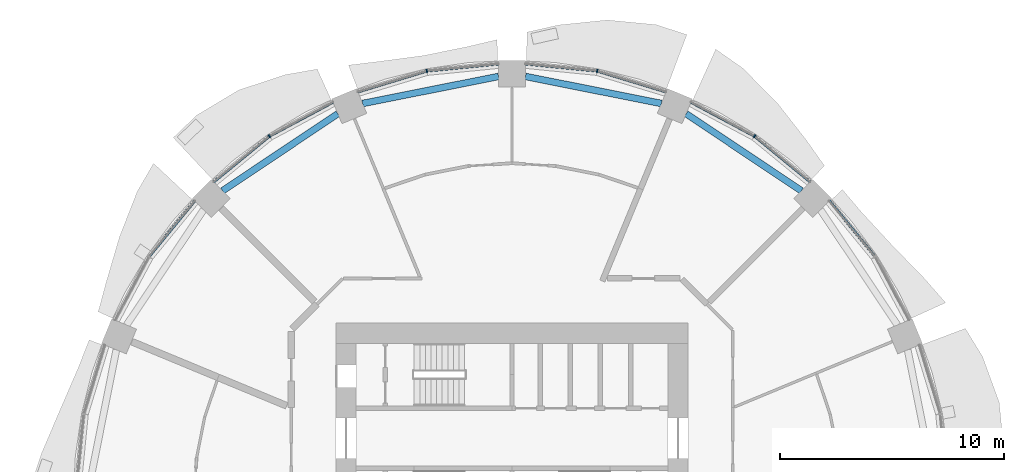
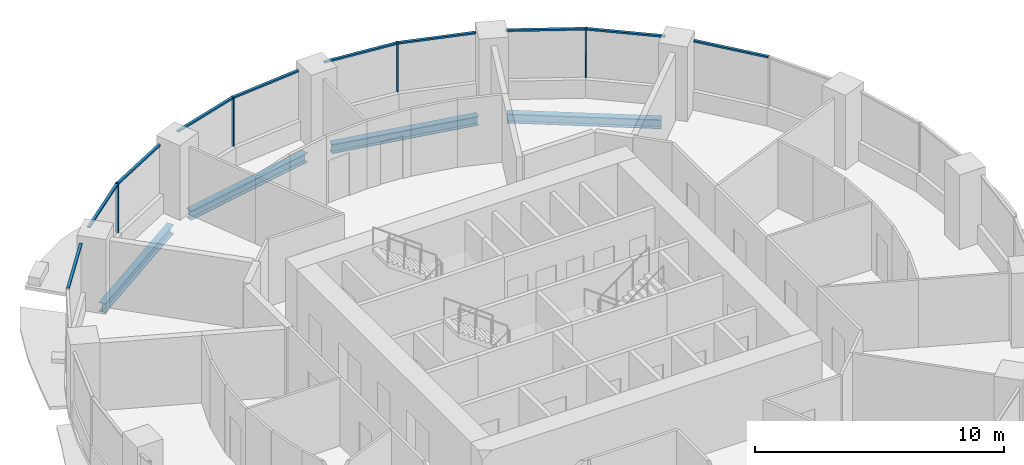
# One storey, part 6 of 15: 14 members, 4 beams, 6 elements without a shape of their own.
"""IFC4 building model written with IfcOpenShell, lengths in metres."""

from ifc_helpers import new_model, si_unit, direction, frame, origin, origin_2d, place, context, subcontext, project, spatial, rectangle, i_section, extrude, material, material_profile, profile_set, type_object, element, aggregate, save


model = new_model("IFC4")

# Units and contexts
model_context = context("Model", 3, precision=1e-05, world=origin(), true_north=direction((0.0, 1.0)))
body_context = subcontext(model_context, "Body", "Model", "MODEL_VIEW")
ifc_project = project(units=[si_unit("LENGTHUNIT", "METRE"), si_unit("AREAUNIT", "SQUARE_METRE"), si_unit("VOLUMEUNIT", "CUBIC_METRE"), si_unit("PLANEANGLEUNIT", "RADIAN"), si_unit("MASSUNIT", "GRAM", prefix="KILO")], contexts=[model_context])

# Site, building, storey
site_placement = place(None, origin())
site = spatial("IfcSite", under=ifc_project, at=site_placement, CompositionType="ELEMENT")
building_placement = place(site_placement, origin())
building = spatial("IfcBuilding", under=site, at=building_placement, Name="Polderwave Tower", CompositionType="ELEMENT")
storey_placement = place(building_placement, frame((0.0, 0.0, 48.10009765625)))
storey = spatial("IfcBuildingStorey", under=building, at=storey_placement, Name="L12", CompositionType="ELEMENT", Elevation=48.10009765625)

# Curtain wall, member
ifc_material_1 = material(Name="Aluminium 6063-T6 and glass", Category="aluminium")
curtain_wall_type = type_object("IfcCurtainWallType", Name="Growing floor ribbon glazing wall", PredefinedType="NOTDEFINED", material=ifc_material_1)
curtain_wall_1_placement = place(storey_placement, origin())
curtain_wall_1 = element("IfcCurtainWall", 1, at=curtain_wall_1_placement, inside=storey, type_object=curtain_wall_type, Name="CW2 L12 02", PredefinedType="NOTDEFINED")
ifc_material_2 = material(Name="Aluminium 6063-T6", Category="aluminium")
ifc_material_profile_1 = material_profile(ifc_material_2, rectangle(XDim=0.14990234375, YDim=0.06005859375, at=origin_2d()), Name="AL 60x150")
ifc_profile_set_1 = profile_set([ifc_material_profile_1], Name="Aluminium 6063-T6")
member_type_1 = type_object("IfcMemberType", Name="Growing floor ribbon glazing mullion 60x150", PredefinedType="MULLION", material=ifc_profile_set_1)
member_1_placement = place(storey_placement, frame((10.85009765625, 16.239013671875, 0.89990234375), z_axis=(0.0, 0.0, 1.0), x_axis=(-0.555576037759, -0.83146573367, 0.0)))
member_1 = element("IfcMember", 2, at=member_1_placement, type_object=member_type_1, Name="CW2 mullion 1", PredefinedType="MULLION", context=body_context, shape_type="SweptSolid", body=[
    extrude(rectangle(XDim=0.14990234375, YDim=0.06005859375, at=origin_2d()), origin(), (0.0, 0.0, 1.0), 2.39990234375),
])

curtain_wall_2_placement = place(storey_placement, origin())
curtain_wall_2 = element("IfcCurtainWall", 3, at=curtain_wall_2_placement, inside=storey, type_object=curtain_wall_type, Name="CW2 L12 03", PredefinedType="NOTDEFINED")
member_2_placement = place(storey_placement, frame((3.81005859375, 19.155029296875, 0.89990234375), z_axis=(0.0, 0.0, 1.0), x_axis=(-0.195148522643, -0.980773701784, 0.0)))
member_2 = element("IfcMember", 4, at=member_2_placement, type_object=member_type_1, Name="CW2 mullion 1", PredefinedType="MULLION", context=body_context, shape_type="SweptSolid", body=[
    extrude(rectangle(XDim=0.14990234375, YDim=0.06005859375, at=origin_2d()), origin(), (0.0, 0.0, 1.0), 2.39990234375),
])

curtain_wall_3_placement = place(storey_placement, origin())
curtain_wall_3 = element("IfcCurtainWall", 5, at=curtain_wall_3_placement, inside=storey, type_object=curtain_wall_type, Name="CW2 L12 04", PredefinedType="NOTDEFINED")
member_3_placement = place(storey_placement, frame((-3.81005859375, 19.155029296875, 0.89990234375), z_axis=(0.0, 0.0, 1.0), x_axis=(0.195148522643, -0.980773701784, 0.0)))
member_3 = element("IfcMember", 6, at=member_3_placement, type_object=member_type_1, Name="CW2 mullion 1", PredefinedType="MULLION", context=body_context, shape_type="SweptSolid", body=[
    extrude(rectangle(XDim=0.14990234375, YDim=0.06005859375, at=origin_2d()), origin(), (0.0, 0.0, 1.0), 2.39990234375),
])

curtain_wall_4_placement = place(storey_placement, origin())
curtain_wall_4 = element("IfcCurtainWall", 7, at=curtain_wall_4_placement, inside=storey, type_object=curtain_wall_type, Name="CW2 L12 05", PredefinedType="NOTDEFINED")
member_4_placement = place(storey_placement, frame((-10.85009765625, 16.239013671875, 0.89990234375), z_axis=(0.0, 0.0, 1.0), x_axis=(0.555576037759, -0.83146573367, 0.0)))
member_4 = element("IfcMember", 8, at=member_4_placement, type_object=member_type_1, Name="CW2 mullion 1", PredefinedType="MULLION", context=body_context, shape_type="SweptSolid", body=[
    extrude(rectangle(XDim=0.14990234375, YDim=0.06005859375, at=origin_2d()), origin(), (0.0, 0.0, 1.0), 2.39990234375),
])

curtain_wall_5_placement = place(storey_placement, origin())
curtain_wall_5 = element("IfcCurtainWall", 9, at=curtain_wall_5_placement, inside=storey, type_object=curtain_wall_type, Name="CW2 L12 01", PredefinedType="NOTDEFINED")
ifc_material_profile_2 = material_profile(ifc_material_2, rectangle(XDim=0.1201171875, YDim=0.080078125, at=origin_2d()), Name="AL 80x120")
ifc_profile_set_2 = profile_set([ifc_material_profile_2], Name="Aluminium 6063-T6")
member_type_2 = type_object("IfcMemberType", Name="Growing floor ribbon glazing transom 80x120", PredefinedType="USERDEFINED", material=ifc_profile_set_2)
member_5_placement = place(storey_placement, frame((16.219970703125, 10.873291015625, 3.260009765625), z_axis=(-0.63447226594, 0.772945627941, 0.0), x_axis=(-0.772945627941, -0.63447226594, 0.0)))
member_5 = element("IfcMember", 10, at=member_5_placement, type_object=member_type_2, Name="CW2 transom 2", ObjectType="TRANSOM", PredefinedType="USERDEFINED", context=body_context, shape_type="SweptSolid", body=[
    extrude(rectangle(XDim=0.1201171875, YDim=0.080078125, at=origin_2d()), origin(), (0.0, 0.0, 1.0), 3.196533203125),
])
aggregate(curtain_wall_5, [member_5])

# Member
member_6_placement = place(storey_placement, frame((13.343994140625, 14.19189453125, 3.260009765625), z_axis=(-0.772945627941, 0.63447226594, 0.0), x_axis=(-0.63447226594, -0.772945627941, 0.0)))
member_6 = element("IfcMember", 11, at=member_6_placement, type_object=member_type_2, Name="CW2 transom 1", ObjectType="TRANSOM", PredefinedType="USERDEFINED", context=body_context, shape_type="SweptSolid", body=[
    extrude(rectangle(XDim=0.1201171875, YDim=0.080078125, at=origin_2d()), origin(), (0.0, 0.0, 1.0), 3.196533203125),
])

member_7_placement = place(storey_placement, frame((10.823486328125, 16.253173828125, 3.260009765625), z_axis=(-0.881929477556, 0.471381370673, 0.0), x_axis=(-0.471381370673, -0.881929477556, 0.0)))
member_7 = element("IfcMember", 12, at=member_7_placement, type_object=member_type_2, Name="CW2 transom 2", ObjectType="TRANSOM", PredefinedType="USERDEFINED", context=body_context, shape_type="SweptSolid", body=[
    extrude(rectangle(XDim=0.1201171875, YDim=0.080078125, at=origin_2d()), origin(), (0.0, 0.0, 1.0), 3.194580078125),
])

aggregate(curtain_wall_1, [member_1, member_6, member_7])

member_8_placement = place(storey_placement, frame((6.89697265625, 18.218017578125, 3.260009765625), z_axis=(-0.95689839473, 0.290422902272, 0.0), x_axis=(-0.290422902272, -0.95689839473, 0.0)))
member_8 = element("IfcMember", 13, at=member_8_placement, type_object=member_type_2, Name="CW2 transom 1", ObjectType="TRANSOM", PredefinedType="USERDEFINED", context=body_context, shape_type="SweptSolid", body=[
    extrude(rectangle(XDim=0.1201171875, YDim=0.080078125, at=origin_2d()), origin(), (0.0, 0.0, 1.0), 3.196044921875),
])

member_9_placement = place(storey_placement, frame((3.780029296875, 19.157958984375, 3.260009765625), z_axis=(-0.99519106363, 0.097952778777, 0.0), x_axis=(-0.097952778777, -0.99519106363, 0.0)))
member_9 = element("IfcMember", 14, at=member_9_placement, type_object=member_type_2, Name="CW2 transom 2", ObjectType="TRANSOM", PredefinedType="USERDEFINED", context=body_context, shape_type="SweptSolid", body=[
    extrude(rectangle(XDim=0.1201171875, YDim=0.080078125, at=origin_2d()), origin(), (0.0, 0.0, 1.0), 3.1953125),
])

aggregate(curtain_wall_2, [member_2, member_8, member_9])

member_10_placement = place(storey_placement, frame((-0.60009765625, 19.470947265625, 3.260009765625), z_axis=(-0.99519106363, -0.097952778777, 0.0), x_axis=(0.097952778777, -0.99519106363, 0.0)))
member_10 = element("IfcMember", 15, at=member_10_placement, type_object=member_type_2, Name="CW2 transom 1", ObjectType="TRANSOM", PredefinedType="USERDEFINED", context=body_context, shape_type="SweptSolid", body=[
    extrude(rectangle(XDim=0.1201171875, YDim=0.080078125, at=origin_2d()), origin(), (0.0, 0.0, 1.0), 3.1953125),
])

member_11_placement = place(storey_placement, frame((-3.838623046875, 19.146240234375, 3.260009765625), z_axis=(-0.95689839473, -0.290422902272, 0.0), x_axis=(0.290422902272, -0.95689839473, 0.0)))
member_11 = element("IfcMember", 16, at=member_11_placement, type_object=member_type_2, Name="CW2 transom 2", ObjectType="TRANSOM", PredefinedType="USERDEFINED", context=body_context, shape_type="SweptSolid", body=[
    extrude(rectangle(XDim=0.1201171875, YDim=0.080078125, at=origin_2d()), origin(), (0.0, 0.0, 1.0), 3.196044921875),
])

aggregate(curtain_wall_3, [member_3, member_10, member_11])

member_12_placement = place(storey_placement, frame((-8.006103515625, 17.759033203125, 3.260009765625), z_axis=(-0.881929477556, -0.471381370673, 0.0), x_axis=(0.471381370673, -0.881929477556, 0.0)))
member_12 = element("IfcMember", 17, at=member_12_placement, type_object=member_type_2, Name="CW2 transom 1", ObjectType="TRANSOM", PredefinedType="USERDEFINED", context=body_context, shape_type="SweptSolid", body=[
    extrude(rectangle(XDim=0.1201171875, YDim=0.080078125, at=origin_2d()), origin(), (0.0, 0.0, 1.0), 3.194580078125),
])

member_13_placement = place(storey_placement, frame((-10.873291015625, 16.219970703125, 3.260009765625), z_axis=(-0.772945627941, -0.63447226594, 0.0), x_axis=(0.63447226594, -0.772945627941, 0.0)))
member_13 = element("IfcMember", 18, at=member_13_placement, type_object=member_type_2, Name="CW2 transom 2", ObjectType="TRANSOM", PredefinedType="USERDEFINED", context=body_context, shape_type="SweptSolid", body=[
    extrude(rectangle(XDim=0.1201171875, YDim=0.080078125, at=origin_2d()), origin(), (0.0, 0.0, 1.0), 3.196533203125),
])

aggregate(curtain_wall_4, [member_4, member_12, member_13])

# Curtain wall, member
curtain_wall_6_placement = place(storey_placement, origin())
curtain_wall_6 = element("IfcCurtainWall", 19, at=curtain_wall_6_placement, inside=storey, type_object=curtain_wall_type, Name="CW2 L12 06", PredefinedType="NOTDEFINED")
member_14_placement = place(storey_placement, frame((-14.19189453125, 13.343994140625, 3.260009765625), z_axis=(-0.63447226594, -0.772945627941, 0.0), x_axis=(0.772945627941, -0.63447226594, 0.0)))
member_14 = element("IfcMember", 20, at=member_14_placement, type_object=member_type_2, Name="CW2 transom 1", ObjectType="TRANSOM", PredefinedType="USERDEFINED", context=body_context, shape_type="SweptSolid", body=[
    extrude(rectangle(XDim=0.1201171875, YDim=0.080078125, at=origin_2d()), origin(), (0.0, 0.0, 1.0), 3.196533203125),
])
aggregate(curtain_wall_6, [member_14])

# Beams
ifc_material_3 = material(Name="Steel S355", Category="steel")
ifc_material_profile_3 = material_profile(ifc_material_3, i_section(OverallWidth=0.300048828125, OverallDepth=0.449951171875, WebThickness=0.013916015625, FlangeThickness=0.02587890625, at=origin_2d()), Name="HE 450 B")
ifc_profile_set_3 = profile_set([ifc_material_profile_3], Name="Steel S355")
beam_type = type_object("IfcBeamType", Name="RING BEAM HE 450 B", PredefinedType="BEAM", material=ifc_profile_set_3)
beam_1_placement = place(storey_placement, frame((12.947509765625, 13.796142578125, -0.5751953125), z_axis=(-0.831480541779, 0.555553875554, 0.0), x_axis=(-0.555553875554, -0.831480541779, 0.0)))
element("IfcBeam", 21, at=beam_1_placement, inside=storey, type_object=beam_type, Name="ST-RB-L12-02", PredefinedType="BEAM", context=body_context, shape_type="SweptSolid", body=[
    extrude(i_section(OverallWidth=0.300048828125, OverallDepth=0.449951171875, WebThickness=0.013916015625, FlangeThickness=0.02587890625, at=origin_2d()), origin(), (0.0, 0.0, 1.0), 6.20166015625),
])
for number, where, z_axis, x_axis, name in (
    (22, (6.682373046875, 17.70068359375, -0.5751953125), (-0.980781542517, 0.195109112701, 0.0), (-0.195109112701, -0.980781542517, 0.0), "ST-RB-L12-03"),
    (23, (-0.60009765625, 18.91064453125, -0.5751953125), (-0.980781542517, -0.195109112701, 0.0), (0.195109112701, -0.980781542517, 0.0), "ST-RB-L12-04"),
):
    element("IfcBeam", number, at=place(storey_placement, frame(where, z_axis=z_axis, x_axis=x_axis)), inside=storey, type_object=beam_type, Name=name, PredefinedType="BEAM", context=body_context, shape_type="SweptSolid", body=[
        extrude(i_section(OverallWidth=0.300048828125, OverallDepth=0.449951171875, WebThickness=0.013916015625, FlangeThickness=0.02587890625, at=origin_2d()), origin(), (0.0, 0.0, 1.0), 6.201416015625),
    ])
beam_2_placement = place(storey_placement, frame((-7.791015625, 17.241455078125, -0.5751953125), z_axis=(-0.831480541779, -0.555553875554, 0.0), x_axis=(0.555553875554, -0.831480541779, 0.0)))
element("IfcBeam", 24, at=beam_2_placement, inside=storey, type_object=beam_type, Name="ST-RB-L12-05", PredefinedType="BEAM", context=body_context, shape_type="SweptSolid", body=[
    extrude(i_section(OverallWidth=0.300048828125, OverallDepth=0.449951171875, WebThickness=0.013916015625, FlangeThickness=0.02587890625, at=origin_2d()), origin(), (0.0, 0.0, 1.0), 6.20166015625),
])

save(model, "model.ifc")
